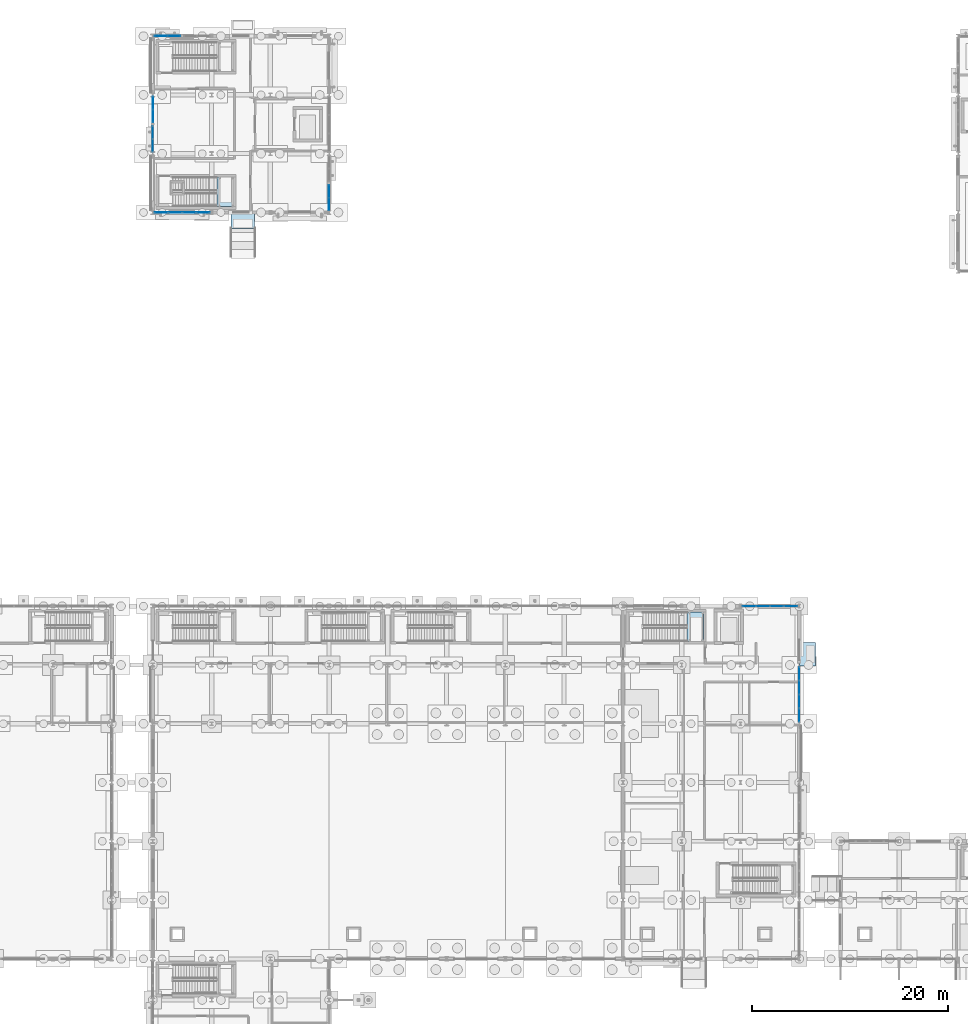
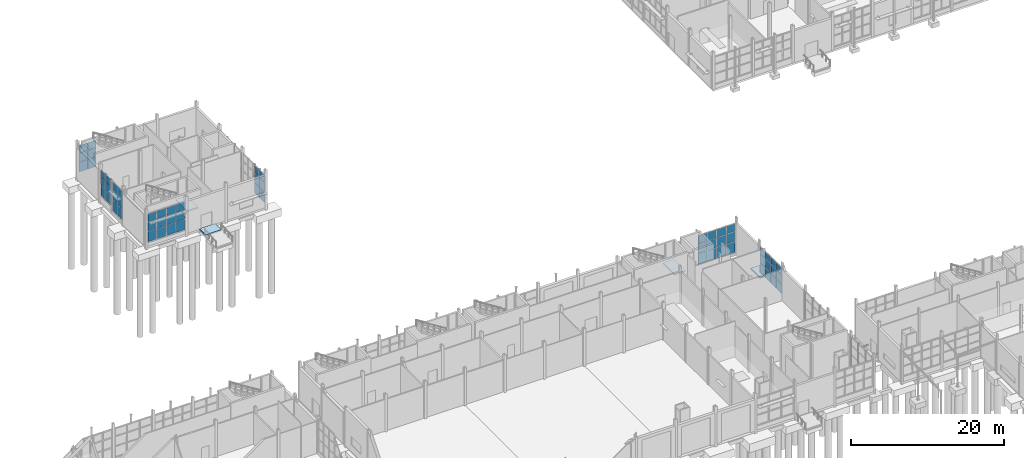
# One storey, part 71 of 120: 60 plates, 4 slabs, 9 elements without a shape of their own.
"""IFC4 building model written with IfcOpenShell, lengths in metres."""

from ifc_helpers import new_model, si_unit, direction, frame, origin, origin_2d, place, context, subcontext, project, spatial, polyline, rectangle, outline, extrude, material, layer, layer_set, type_object, element, aggregate, save


model = new_model("IFC4")

# Units and contexts
model_context = context("Model", 3, precision=1e-05, world=origin(), true_north=direction((0.0, 1.0)))
body_context = subcontext(model_context, "Body", "Model", "MODEL_VIEW")
ifc_project = project(units=[si_unit("LENGTHUNIT", "METRE"), si_unit("AREAUNIT", "SQUARE_METRE"), si_unit("VOLUMEUNIT", "CUBIC_METRE"), si_unit("PLANEANGLEUNIT", "RADIAN"), si_unit("MASSUNIT", "GRAM", prefix="KILO")], contexts=[model_context])

# Site, building, storey
site_placement = place(None, origin())
site = spatial("IfcSite", under=ifc_project, at=site_placement, CompositionType="ELEMENT")
building_placement = place(site_placement, origin())
building = spatial("IfcBuilding", under=site, at=building_placement, Name="Siltcreek Boulevard Central Fire Station", CompositionType="ELEMENT")
storey_placement = place(building_placement, origin())
storey = spatial("IfcBuildingStorey", under=building, at=storey_placement, Name="L01", CompositionType="ELEMENT", Elevation=0.0)

# Curtain wall, plates
ifc_material_1 = material(Name="Anodized aluminum and low-E insulated glazing", Category="aluminium")
curtain_wall_type_1 = type_object("IfcCurtainWallType", Name="CW_SYS_19", PredefinedType="USERDEFINED", material=ifc_material_1)
curtain_wall_1_placement = place(storey_placement, origin())
curtain_wall_1 = element("IfcCurtainWall", 1, at=curtain_wall_1_placement, inside=storey, type_object=curtain_wall_type_1, Name="L01 V2 unitised curtain wall CW-018", ObjectType="CURTAIN WALL", PredefinedType="USERDEFINED")
ifc_material_2 = material(Name="Low-E double insulated glass unit", Category="glass")
ifc_layer_1 = layer(ifc_material_2, 0.028076171875, Name="Low-E double insulated glass unit")
ifc_layer_set_1 = layer_set([ifc_layer_1], Name="Low-E double insulated glass unit")
plate_type_1 = type_object("IfcPlateType", Name="CWP_GLZ_1", PredefinedType="CURTAIN_PANEL", material=ifc_layer_set_1)
plate_1_placement = place(storey_placement, frame((107.125, 54.0, 0.38525390625), z_axis=(0.0, 0.0, 1.0), x_axis=(-1.0, 0.0, 0.0)))
plate_1 = element("IfcPlate", 2, at=plate_1_placement, type_object=plate_type_1, Name="CW-018 panel 1.1", PredefinedType="CURTAIN_PANEL", context=body_context, shape_type="SweptSolid", body=[
    extrude(rectangle(XDim=1.330078125, YDim=0.028076171875, at=origin_2d()), origin(), (0.0, 0.0, 1.0), 1.694091796875),
])
plate_2_placement = place(storey_placement, frame((107.125, 54.0, 2.144287109375), z_axis=(0.0, 0.0, 1.0), x_axis=(-1.0, 0.0, 0.0)))
plate_2 = element("IfcPlate", 3, at=plate_2_placement, type_object=plate_type_1, Name="CW-018 panel 1.2", PredefinedType="CURTAIN_PANEL", context=body_context, shape_type="SweptSolid", body=[
    extrude(rectangle(XDim=1.330078125, YDim=0.028076171875, at=origin_2d()), origin(), (0.0, 0.0, 1.0), 1.5380859375),
])
plate_3_placement = place(storey_placement, frame((107.125, 54.0, 3.747314453125), z_axis=(0.0, 0.0, 1.0), x_axis=(-1.0, 0.0, 0.0)))
plate_3 = element("IfcPlate", 4, at=plate_3_placement, type_object=plate_type_1, Name="CW-018 panel 1.3", PredefinedType="CURTAIN_PANEL", context=body_context, shape_type="SweptSolid", body=[
    extrude(rectangle(XDim=1.330078125, YDim=0.028076171875, at=origin_2d()), origin(), (0.0, 0.0, 1.0), 1.22265625),
])
plate_4_placement = place(storey_placement, frame((105.7138671875, 54.0, 0.38525390625), z_axis=(0.0, 0.0, 1.0), x_axis=(-1.0, 0.0, 0.0)))
plate_4 = element("IfcPlate", 5, at=plate_4_placement, type_object=plate_type_1, Name="CW-018 panel 2.1", PredefinedType="CURTAIN_PANEL", context=body_context, shape_type="SweptSolid", body=[
    extrude(rectangle(XDim=1.362548828125, YDim=0.028076171875, at=origin_2d()), origin(), (0.0, 0.0, 1.0), 1.694091796875),
])
plate_5_placement = place(storey_placement, frame((105.7138671875, 54.0, 2.144287109375), z_axis=(0.0, 0.0, 1.0), x_axis=(-1.0, 0.0, 0.0)))
plate_5 = element("IfcPlate", 6, at=plate_5_placement, type_object=plate_type_1, Name="CW-018 panel 2.2", PredefinedType="CURTAIN_PANEL", context=body_context, shape_type="SweptSolid", body=[
    extrude(rectangle(XDim=1.362548828125, YDim=0.028076171875, at=origin_2d()), origin(), (0.0, 0.0, 1.0), 1.5380859375),
])
plate_6_placement = place(storey_placement, frame((105.7138671875, 54.0, 3.747314453125), z_axis=(0.0, 0.0, 1.0), x_axis=(-1.0, 0.0, 0.0)))
plate_6 = element("IfcPlate", 7, at=plate_6_placement, type_object=plate_type_1, Name="CW-018 panel 2.3", PredefinedType="CURTAIN_PANEL", context=body_context, shape_type="SweptSolid", body=[
    extrude(rectangle(XDim=1.362548828125, YDim=0.028076171875, at=origin_2d()), origin(), (0.0, 0.0, 1.0), 1.22265625),
])
plate_7_placement = place(storey_placement, frame((104.2861328125, 54.0, 0.38525390625), z_axis=(0.0, 0.0, 1.0), x_axis=(-1.0, 0.0, 0.0)))
plate_7 = element("IfcPlate", 8, at=plate_7_placement, type_object=plate_type_1, Name="CW-018 panel 3.1", PredefinedType="CURTAIN_PANEL", context=body_context, shape_type="SweptSolid", body=[
    extrude(rectangle(XDim=1.362548828125, YDim=0.028076171875, at=origin_2d()), origin(), (0.0, 0.0, 1.0), 1.694091796875),
])
plate_8_placement = place(storey_placement, frame((104.2861328125, 54.0, 2.144287109375), z_axis=(0.0, 0.0, 1.0), x_axis=(-1.0, 0.0, 0.0)))
plate_8 = element("IfcPlate", 9, at=plate_8_placement, type_object=plate_type_1, Name="CW-018 panel 3.2", PredefinedType="CURTAIN_PANEL", context=body_context, shape_type="SweptSolid", body=[
    extrude(rectangle(XDim=1.362548828125, YDim=0.028076171875, at=origin_2d()), origin(), (0.0, 0.0, 1.0), 1.5380859375),
])
plate_9_placement = place(storey_placement, frame((104.2861328125, 54.0, 3.747314453125), z_axis=(0.0, 0.0, 1.0), x_axis=(-1.0, 0.0, 0.0)))
plate_9 = element("IfcPlate", 10, at=plate_9_placement, type_object=plate_type_1, Name="CW-018 panel 3.3", PredefinedType="CURTAIN_PANEL", context=body_context, shape_type="SweptSolid", body=[
    extrude(rectangle(XDim=1.362548828125, YDim=0.028076171875, at=origin_2d()), origin(), (0.0, 0.0, 1.0), 1.22265625),
])
plate_10_placement = place(storey_placement, frame((102.875, 54.0, 0.38525390625), z_axis=(0.0, 0.0, 1.0), x_axis=(-1.0, 0.0, 0.0)))
plate_10 = element("IfcPlate", 11, at=plate_10_placement, type_object=plate_type_1, Name="CW-018 panel 4.1", PredefinedType="CURTAIN_PANEL", context=body_context, shape_type="SweptSolid", body=[
    extrude(rectangle(XDim=1.330078125, YDim=0.028076171875, at=origin_2d()), origin(), (0.0, 0.0, 1.0), 1.694091796875),
])
plate_11_placement = place(storey_placement, frame((102.875, 54.0, 2.144287109375), z_axis=(0.0, 0.0, 1.0), x_axis=(-1.0, 0.0, 0.0)))
plate_11 = element("IfcPlate", 12, at=plate_11_placement, type_object=plate_type_1, Name="CW-018 panel 4.2", PredefinedType="CURTAIN_PANEL", context=body_context, shape_type="SweptSolid", body=[
    extrude(rectangle(XDim=1.330078125, YDim=0.028076171875, at=origin_2d()), origin(), (0.0, 0.0, 1.0), 1.5380859375),
])
plate_12_placement = place(storey_placement, frame((102.875, 54.0, 3.747314453125), z_axis=(0.0, 0.0, 1.0), x_axis=(-1.0, 0.0, 0.0)))
plate_12 = element("IfcPlate", 13, at=plate_12_placement, type_object=plate_type_1, Name="CW-018 panel 4.3", PredefinedType="CURTAIN_PANEL", context=body_context, shape_type="SweptSolid", body=[
    extrude(rectangle(XDim=1.330078125, YDim=0.028076171875, at=origin_2d()), origin(), (0.0, 0.0, 1.0), 1.22265625),
])
aggregate(curtain_wall_1, [plate_1, plate_2, plate_3, plate_4, plate_5, plate_6, plate_7, plate_8, plate_9, plate_10, plate_11, plate_12])

curtain_wall_type_2 = type_object("IfcCurtainWallType", Name="CW_SYS_01", PredefinedType="USERDEFINED", material=ifc_material_1)
curtain_wall_2_placement = place(storey_placement, origin())
curtain_wall_2 = element("IfcCurtainWall", 14, at=curtain_wall_2_placement, inside=storey, type_object=curtain_wall_type_2, Name="L01 V3 unitised curtain wall CW-030", ObjectType="CURTAIN WALL", PredefinedType="USERDEFINED")
plate_13_placement = place(storey_placement, frame((42.0, 102.364990234375, 0.38525390625), z_axis=(0.0, 0.0, 1.0), x_axis=(0.0, -1.0, 0.0)))
plate_13 = element("IfcPlate", 15, at=plate_13_placement, type_object=plate_type_1, Name="CW-030 panel 1.1", PredefinedType="CURTAIN_PANEL", context=body_context, shape_type="SweptSolid", body=[
    extrude(rectangle(XDim=1.260009765625, YDim=0.028076171875, at=origin_2d()), origin(), (0.0, 0.0, 1.0), 1.697509765625),
])
plate_14_placement = place(storey_placement, frame((42.0, 102.364990234375, 2.1474609375), z_axis=(0.0, 0.0, 1.0), x_axis=(0.0, -1.0, 0.0)))
plate_14 = element("IfcPlate", 16, at=plate_14_placement, type_object=plate_type_1, Name="CW-030 panel 1.2", PredefinedType="CURTAIN_PANEL", context=body_context, shape_type="SweptSolid", body=[
    extrude(rectangle(XDim=1.260009765625, YDim=0.028076171875, at=origin_2d()), origin(), (0.0, 0.0, 1.0), 1.541259765625),
])
plate_15_placement = place(storey_placement, frame((42.0, 102.364990234375, 3.75390625), z_axis=(0.0, 0.0, 1.0), x_axis=(0.0, -1.0, 0.0)))
plate_15 = element("IfcPlate", 17, at=plate_15_placement, type_object=plate_type_1, Name="CW-030 panel 1.3", PredefinedType="CURTAIN_PANEL", context=body_context, shape_type="SweptSolid", body=[
    extrude(rectangle(XDim=1.260009765625, YDim=0.028076171875, at=origin_2d()), origin(), (0.0, 0.0, 1.0), 1.22509765625),
])
plate_16_placement = place(storey_placement, frame((42.0, 101.0400390625, 0.38525390625), z_axis=(0.0, 0.0, 1.0), x_axis=(0.0, -1.0, 0.0)))
plate_16 = element("IfcPlate", 18, at=plate_16_placement, type_object=plate_type_1, Name="CW-030 panel 2.1", PredefinedType="CURTAIN_PANEL", context=body_context, shape_type="SweptSolid", body=[
    extrude(rectangle(XDim=1.260009765625, YDim=0.028076171875, at=origin_2d()), origin(), (0.0, 0.0, 1.0), 1.697509765625),
])
plate_17_placement = place(storey_placement, frame((42.0, 101.0400390625, 2.1474609375), z_axis=(0.0, 0.0, 1.0), x_axis=(0.0, -1.0, 0.0)))
plate_17 = element("IfcPlate", 19, at=plate_17_placement, type_object=plate_type_1, Name="CW-030 panel 2.2", PredefinedType="CURTAIN_PANEL", context=body_context, shape_type="SweptSolid", body=[
    extrude(rectangle(XDim=1.260009765625, YDim=0.028076171875, at=origin_2d()), origin(), (0.0, 0.0, 1.0), 1.541259765625),
])
plate_18_placement = place(storey_placement, frame((42.0, 101.0400390625, 3.75390625), z_axis=(0.0, 0.0, 1.0), x_axis=(0.0, -1.0, 0.0)))
plate_18 = element("IfcPlate", 20, at=plate_18_placement, type_object=plate_type_1, Name="CW-030 panel 2.3", PredefinedType="CURTAIN_PANEL", context=body_context, shape_type="SweptSolid", body=[
    extrude(rectangle(XDim=1.260009765625, YDim=0.028076171875, at=origin_2d()), origin(), (0.0, 0.0, 1.0), 1.22509765625),
])
aggregate(curtain_wall_2, [plate_13, plate_14, plate_15, plate_16, plate_17, plate_18])

curtain_wall_type_3 = type_object("IfcCurtainWallType", Name="CW_SYS_23", PredefinedType="USERDEFINED", material=ifc_material_1)
curtain_wall_3_placement = place(storey_placement, origin())
curtain_wall_3 = element("IfcCurtainWall", 21, at=curtain_wall_3_placement, inside=storey, type_object=curtain_wall_type_3, Name="L01 V2 unitised curtain wall CW-022", ObjectType="CURTAIN WALL", PredefinedType="USERDEFINED")
ifc_layer_2 = layer(ifc_material_2, 0.0380859375, Name="Low-E double insulated glass unit")
ifc_layer_set_2 = layer_set([ifc_layer_2], Name="Low-E double insulated glass unit")
plate_type_2 = type_object("IfcPlateType", Name="CWP_GLZ_2", PredefinedType="CURTAIN_PANEL", material=ifc_layer_set_2)
plate_19_placement = place(storey_placement, frame((108.0, 42.875, 0.864990234375), z_axis=(0.0, 0.0, 1.0), x_axis=(0.0, 1.0, 0.0)))
plate_19 = element("IfcPlate", 22, at=plate_19_placement, type_object=plate_type_2, Name="CW-022 panel 1.1", PredefinedType="CURTAIN_PANEL", context=body_context, shape_type="SweptSolid", body=[
    extrude(rectangle(XDim=1.330078125, YDim=0.0380859375, at=origin_2d()), origin(), (0.0, 0.0, 1.0), 1.51513671875),
])
plate_20_placement = place(storey_placement, frame((108.0, 42.875, 2.4453125), z_axis=(0.0, 0.0, 1.0), x_axis=(0.0, 1.0, 0.0)))
plate_20 = element("IfcPlate", 23, at=plate_20_placement, type_object=plate_type_2, Name="CW-022 panel 1.2", PredefinedType="CURTAIN_PANEL", context=body_context, shape_type="SweptSolid", body=[
    extrude(rectangle(XDim=1.330078125, YDim=0.0380859375, at=origin_2d()), origin(), (0.0, 0.0, 1.0), 1.3779296875),
])
plate_21_placement = place(storey_placement, frame((108.0, 42.875, 3.88818359375), z_axis=(0.0, 0.0, 1.0), x_axis=(0.0, 1.0, 0.0)))
plate_21 = element("IfcPlate", 24, at=plate_21_placement, type_object=plate_type_2, Name="CW-022 panel 1.3", PredefinedType="CURTAIN_PANEL", context=body_context, shape_type="SweptSolid", body=[
    extrude(rectangle(XDim=1.330078125, YDim=0.0380859375, at=origin_2d()), origin(), (0.0, 0.0, 1.0), 1.0908203125),
])
plate_22_placement = place(storey_placement, frame((108.0, 44.2861328125, 0.864990234375), z_axis=(0.0, 0.0, 1.0), x_axis=(0.0, 1.0, 0.0)))
plate_22 = element("IfcPlate", 25, at=plate_22_placement, type_object=plate_type_2, Name="CW-022 panel 2.1", PredefinedType="CURTAIN_PANEL", context=body_context, shape_type="SweptSolid", body=[
    extrude(rectangle(XDim=1.362548828125, YDim=0.0380859375, at=origin_2d()), origin(), (0.0, 0.0, 1.0), 1.51513671875),
])
plate_23_placement = place(storey_placement, frame((108.0, 44.2861328125, 2.4453125), z_axis=(0.0, 0.0, 1.0), x_axis=(0.0, 1.0, 0.0)))
plate_23 = element("IfcPlate", 26, at=plate_23_placement, type_object=plate_type_2, Name="CW-022 panel 2.2", PredefinedType="CURTAIN_PANEL", context=body_context, shape_type="SweptSolid", body=[
    extrude(rectangle(XDim=1.362548828125, YDim=0.0380859375, at=origin_2d()), origin(), (0.0, 0.0, 1.0), 1.3779296875),
])
plate_24_placement = place(storey_placement, frame((108.0, 44.2861328125, 3.88818359375), z_axis=(0.0, 0.0, 1.0), x_axis=(0.0, 1.0, 0.0)))
plate_24 = element("IfcPlate", 27, at=plate_24_placement, type_object=plate_type_2, Name="CW-022 panel 2.3", PredefinedType="CURTAIN_PANEL", context=body_context, shape_type="SweptSolid", body=[
    extrude(rectangle(XDim=1.362548828125, YDim=0.0380859375, at=origin_2d()), origin(), (0.0, 0.0, 1.0), 1.0908203125),
])
plate_25_placement = place(storey_placement, frame((108.0, 45.7138671875, 0.864990234375), z_axis=(0.0, 0.0, 1.0), x_axis=(0.0, 1.0, 0.0)))
plate_25 = element("IfcPlate", 28, at=plate_25_placement, type_object=plate_type_2, Name="CW-022 panel 3.1", PredefinedType="CURTAIN_PANEL", context=body_context, shape_type="SweptSolid", body=[
    extrude(rectangle(XDim=1.362548828125, YDim=0.0380859375, at=origin_2d()), origin(), (0.0, 0.0, 1.0), 1.51513671875),
])
plate_26_placement = place(storey_placement, frame((108.0, 45.7138671875, 2.4453125), z_axis=(0.0, 0.0, 1.0), x_axis=(0.0, 1.0, 0.0)))
plate_26 = element("IfcPlate", 29, at=plate_26_placement, type_object=plate_type_2, Name="CW-022 panel 3.2", PredefinedType="CURTAIN_PANEL", context=body_context, shape_type="SweptSolid", body=[
    extrude(rectangle(XDim=1.362548828125, YDim=0.0380859375, at=origin_2d()), origin(), (0.0, 0.0, 1.0), 1.3779296875),
])
plate_27_placement = place(storey_placement, frame((108.0, 45.7138671875, 3.88818359375), z_axis=(0.0, 0.0, 1.0), x_axis=(0.0, 1.0, 0.0)))
plate_27 = element("IfcPlate", 30, at=plate_27_placement, type_object=plate_type_2, Name="CW-022 panel 3.3", PredefinedType="CURTAIN_PANEL", context=body_context, shape_type="SweptSolid", body=[
    extrude(rectangle(XDim=1.362548828125, YDim=0.0380859375, at=origin_2d()), origin(), (0.0, 0.0, 1.0), 1.0908203125),
])
plate_28_placement = place(storey_placement, frame((108.0, 47.125, 0.864990234375), z_axis=(0.0, 0.0, 1.0), x_axis=(0.0, 1.0, 0.0)))
plate_28 = element("IfcPlate", 31, at=plate_28_placement, type_object=plate_type_2, Name="CW-022 panel 4.1", PredefinedType="CURTAIN_PANEL", context=body_context, shape_type="SweptSolid", body=[
    extrude(rectangle(XDim=1.330078125, YDim=0.0380859375, at=origin_2d()), origin(), (0.0, 0.0, 1.0), 1.51513671875),
])
plate_29_placement = place(storey_placement, frame((108.0, 47.125, 2.4453125), z_axis=(0.0, 0.0, 1.0), x_axis=(0.0, 1.0, 0.0)))
plate_29 = element("IfcPlate", 32, at=plate_29_placement, type_object=plate_type_2, Name="CW-022 panel 4.2", PredefinedType="CURTAIN_PANEL", context=body_context, shape_type="SweptSolid", body=[
    extrude(rectangle(XDim=1.330078125, YDim=0.0380859375, at=origin_2d()), origin(), (0.0, 0.0, 1.0), 1.3779296875),
])
plate_30_placement = place(storey_placement, frame((108.0, 47.125, 3.88818359375), z_axis=(0.0, 0.0, 1.0), x_axis=(0.0, 1.0, 0.0)))
plate_30 = element("IfcPlate", 33, at=plate_30_placement, type_object=plate_type_2, Name="CW-022 panel 4.3", PredefinedType="CURTAIN_PANEL", context=body_context, shape_type="SweptSolid", body=[
    extrude(rectangle(XDim=1.330078125, YDim=0.0380859375, at=origin_2d()), origin(), (0.0, 0.0, 1.0), 1.0908203125),
])
aggregate(curtain_wall_3, [plate_19, plate_20, plate_21, plate_22, plate_23, plate_24, plate_25, plate_26, plate_27, plate_28, plate_29, plate_30])

curtain_wall_type_4 = type_object("IfcCurtainWallType", Name="CW_SYS_29", PredefinedType="USERDEFINED", material=ifc_material_1)
curtain_wall_4_placement = place(storey_placement, origin())
curtain_wall_4 = element("IfcCurtainWall", 34, at=curtain_wall_4_placement, inside=storey, type_object=curtain_wall_type_4, Name="L01 V3 unitised curtain wall CW-028", ObjectType="CURTAIN WALL", PredefinedType="USERDEFINED")
plate_31_placement = place(storey_placement, frame((44.1650390625, 112.199951171875, 0.864990234375), z_axis=(0.0, 0.0, 1.0), x_axis=(-1.0, 0.0, 0.0)))
plate_31 = element("IfcPlate", 35, at=plate_31_placement, type_object=plate_type_2, Name="CW-028 panel 1.1", PredefinedType="CURTAIN_PANEL", context=body_context, shape_type="SweptSolid", body=[
    extrude(rectangle(XDim=1.260009765625, YDim=0.0380859375, at=origin_2d()), origin(), (0.0, 0.0, 1.0), 1.54150390625),
])
plate_32_placement = place(storey_placement, frame((44.1650390625, 112.199951171875, 2.47119140625), z_axis=(0.0, 0.0, 1.0), x_axis=(-1.0, 0.0, 0.0)))
plate_32 = element("IfcPlate", 36, at=plate_32_placement, type_object=plate_type_2, Name="CW-028 panel 1.2", PredefinedType="CURTAIN_PANEL", context=body_context, shape_type="SweptSolid", body=[
    extrude(rectangle(XDim=1.260009765625, YDim=0.0380859375, at=origin_2d()), origin(), (0.0, 0.0, 1.0), 1.401611328125),
])
plate_33_placement = place(storey_placement, frame((44.1650390625, 112.199951171875, 3.93798828125), z_axis=(0.0, 0.0, 1.0), x_axis=(-1.0, 0.0, 0.0)))
plate_33 = element("IfcPlate", 37, at=plate_33_placement, type_object=plate_type_2, Name="CW-028 panel 1.3", PredefinedType="CURTAIN_PANEL", context=body_context, shape_type="SweptSolid", body=[
    extrude(rectangle(XDim=1.260009765625, YDim=0.0380859375, at=origin_2d()), origin(), (0.0, 0.0, 1.0), 1.110107421875),
])
plate_34_placement = place(storey_placement, frame((42.840087890625, 112.199951171875, 0.864990234375), z_axis=(0.0, 0.0, 1.0), x_axis=(-1.0, 0.0, 0.0)))
plate_34 = element("IfcPlate", 38, at=plate_34_placement, type_object=plate_type_2, Name="CW-028 panel 2.1", PredefinedType="CURTAIN_PANEL", context=body_context, shape_type="SweptSolid", body=[
    extrude(rectangle(XDim=1.260009765625, YDim=0.0380859375, at=origin_2d()), origin(), (0.0, 0.0, 1.0), 1.54150390625),
])
plate_35_placement = place(storey_placement, frame((42.840087890625, 112.199951171875, 2.47119140625), z_axis=(0.0, 0.0, 1.0), x_axis=(-1.0, 0.0, 0.0)))
plate_35 = element("IfcPlate", 39, at=plate_35_placement, type_object=plate_type_2, Name="CW-028 panel 2.2", PredefinedType="CURTAIN_PANEL", context=body_context, shape_type="SweptSolid", body=[
    extrude(rectangle(XDim=1.260009765625, YDim=0.0380859375, at=origin_2d()), origin(), (0.0, 0.0, 1.0), 1.401611328125),
])
plate_36_placement = place(storey_placement, frame((42.840087890625, 112.199951171875, 3.93798828125), z_axis=(0.0, 0.0, 1.0), x_axis=(-1.0, 0.0, 0.0)))
plate_36 = element("IfcPlate", 40, at=plate_36_placement, type_object=plate_type_2, Name="CW-028 panel 2.3", PredefinedType="CURTAIN_PANEL", context=body_context, shape_type="SweptSolid", body=[
    extrude(rectangle(XDim=1.260009765625, YDim=0.0380859375, at=origin_2d()), origin(), (0.0, 0.0, 1.0), 1.110107421875),
])
aggregate(curtain_wall_4, [plate_31, plate_32, plate_33, plate_34, plate_35, plate_36])

curtain_wall_type_5 = type_object("IfcCurtainWallType", Name="CW_SYS_02", PredefinedType="USERDEFINED", material=ifc_material_1)
curtain_wall_5_placement = place(storey_placement, origin())
curtain_wall_5 = element("IfcCurtainWall", 41, at=curtain_wall_5_placement, inside=storey, type_object=curtain_wall_type_5, Name="L01 V3 unitised curtain wall CW-031", ObjectType="CURTAIN WALL", PredefinedType="USERDEFINED")
plate_37_placement = place(storey_placement, frame((60.0, 95.038818359375, 0.5), z_axis=(0.0, 0.0, 1.0), x_axis=(0.0, 1.0, 0.0)))
plate_37 = element("IfcPlate", 42, at=plate_37_placement, type_object=plate_type_2, Name="CW-031 panel 1.1", PredefinedType="CURTAIN_PANEL", context=body_context, shape_type="SweptSolid", body=[
    extrude(rectangle(XDim=1.267578125, YDim=0.0380859375, at=origin_2d()), origin(), (0.0, 0.0, 1.0), 1.659423828125),
])
plate_38_placement = place(storey_placement, frame((60.0, 95.038818359375, 2.219482421875), z_axis=(0.0, 0.0, 1.0), x_axis=(0.0, 1.0, 0.0)))
plate_38 = element("IfcPlate", 43, at=plate_38_placement, type_object=plate_type_2, Name="CW-031 panel 1.2", PredefinedType="CURTAIN_PANEL", context=body_context, shape_type="SweptSolid", body=[
    extrude(rectangle(XDim=1.267578125, YDim=0.0380859375, at=origin_2d()), origin(), (0.0, 0.0, 1.0), 1.50537109375),
])
plate_39_placement = place(storey_placement, frame((60.0, 95.038818359375, 3.784912109375), z_axis=(0.0, 0.0, 1.0), x_axis=(0.0, 1.0, 0.0)))
plate_39 = element("IfcPlate", 44, at=plate_39_placement, type_object=plate_type_2, Name="CW-031 panel 1.3", PredefinedType="CURTAIN_PANEL", context=body_context, shape_type="SweptSolid", body=[
    extrude(rectangle(XDim=1.267578125, YDim=0.0380859375, at=origin_2d()), origin(), (0.0, 0.0, 1.0), 1.19921875),
])
plate_40_placement = place(storey_placement, frame((60.0, 96.3662109375, 0.5), z_axis=(0.0, 0.0, 1.0), x_axis=(0.0, 1.0, 0.0)))
plate_40 = element("IfcPlate", 45, at=plate_40_placement, type_object=plate_type_2, Name="CW-031 panel 2.1", PredefinedType="CURTAIN_PANEL", context=body_context, shape_type="SweptSolid", body=[
    extrude(rectangle(XDim=1.267578125, YDim=0.0380859375, at=origin_2d()), origin(), (0.0, 0.0, 1.0), 1.659423828125),
])
plate_41_placement = place(storey_placement, frame((60.0, 96.3662109375, 2.219482421875), z_axis=(0.0, 0.0, 1.0), x_axis=(0.0, 1.0, 0.0)))
plate_41 = element("IfcPlate", 46, at=plate_41_placement, type_object=plate_type_2, Name="CW-031 panel 2.2", PredefinedType="CURTAIN_PANEL", context=body_context, shape_type="SweptSolid", body=[
    extrude(rectangle(XDim=1.267578125, YDim=0.0380859375, at=origin_2d()), origin(), (0.0, 0.0, 1.0), 1.50537109375),
])
plate_42_placement = place(storey_placement, frame((60.0, 96.3662109375, 3.784912109375), z_axis=(0.0, 0.0, 1.0), x_axis=(0.0, 1.0, 0.0)))
plate_42 = element("IfcPlate", 47, at=plate_42_placement, type_object=plate_type_2, Name="CW-031 panel 2.3", PredefinedType="CURTAIN_PANEL", context=body_context, shape_type="SweptSolid", body=[
    extrude(rectangle(XDim=1.267578125, YDim=0.0380859375, at=origin_2d()), origin(), (0.0, 0.0, 1.0), 1.19921875),
])
aggregate(curtain_wall_5, [plate_37, plate_38, plate_39, plate_40, plate_41, plate_42])

curtain_wall_type_6 = type_object("IfcCurtainWallType", Name="CW_SYS_27", PredefinedType="USERDEFINED", material=ifc_material_1)
curtain_wall_6_placement = place(storey_placement, origin())
curtain_wall_6 = element("IfcCurtainWall", 48, at=curtain_wall_6_placement, inside=storey, type_object=curtain_wall_type_6, Name="L01 V3 unitised curtain wall CW-026", ObjectType="CURTAIN WALL", PredefinedType="USERDEFINED")
ifc_layer_3 = layer(ifc_material_2, 0.048095703125, Name="Low-E double insulated glass unit")
ifc_layer_set_3 = layer_set([ifc_layer_3], Name="Low-E double insulated glass unit")
plate_type_3 = type_object("IfcPlateType", Name="CWP_GLZ_3", PredefinedType="CURTAIN_PANEL", material=ifc_layer_set_3)
plate_43_placement = place(storey_placement, frame((42.875, 94.199951171875, 0.625), z_axis=(0.0, 0.0, 1.0), x_axis=(1.0, 0.0, 0.0)))
plate_43 = element("IfcPlate", 49, at=plate_43_placement, type_object=plate_type_3, Name="CW-026 panel 1.1", PredefinedType="CURTAIN_PANEL", context=body_context, shape_type="SweptSolid", body=[
    extrude(rectangle(XDim=1.330078125, YDim=0.048095703125, at=origin_2d()), origin(), (0.0, 0.0, 1.0), 1.632568359375),
])
plate_44_placement = place(storey_placement, frame((42.875, 94.199951171875, 2.32275390625), z_axis=(0.0, 0.0, 1.0), x_axis=(1.0, 0.0, 0.0)))
plate_44 = element("IfcPlate", 50, at=plate_44_placement, type_object=plate_type_3, Name="CW-026 panel 1.2", PredefinedType="CURTAIN_PANEL", context=body_context, shape_type="SweptSolid", body=[
    extrude(rectangle(XDim=1.330078125, YDim=0.048095703125, at=origin_2d()), origin(), (0.0, 0.0, 1.0), 1.483154296875),
])
plate_45_placement = place(storey_placement, frame((42.875, 94.199951171875, 3.87060546875), z_axis=(0.0, 0.0, 1.0), x_axis=(1.0, 0.0, 0.0)))
plate_45 = element("IfcPlate", 51, at=plate_45_placement, type_object=plate_type_3, Name="CW-026 panel 1.3", PredefinedType="CURTAIN_PANEL", context=body_context, shape_type="SweptSolid", body=[
    extrude(rectangle(XDim=1.330078125, YDim=0.048095703125, at=origin_2d()), origin(), (0.0, 0.0, 1.0), 1.17724609375),
])
plate_46_placement = place(storey_placement, frame((44.2861328125, 94.199951171875, 0.625), z_axis=(0.0, 0.0, 1.0), x_axis=(1.0, 0.0, 0.0)))
plate_46 = element("IfcPlate", 52, at=plate_46_placement, type_object=plate_type_3, Name="CW-026 panel 2.1", PredefinedType="CURTAIN_PANEL", context=body_context, shape_type="SweptSolid", body=[
    extrude(rectangle(XDim=1.362548828125, YDim=0.048095703125, at=origin_2d()), origin(), (0.0, 0.0, 1.0), 1.632568359375),
])
plate_47_placement = place(storey_placement, frame((44.2861328125, 94.199951171875, 2.32275390625), z_axis=(0.0, 0.0, 1.0), x_axis=(1.0, 0.0, 0.0)))
plate_47 = element("IfcPlate", 53, at=plate_47_placement, type_object=plate_type_3, Name="CW-026 panel 2.2", PredefinedType="CURTAIN_PANEL", context=body_context, shape_type="SweptSolid", body=[
    extrude(rectangle(XDim=1.362548828125, YDim=0.048095703125, at=origin_2d()), origin(), (0.0, 0.0, 1.0), 1.483154296875),
])
plate_48_placement = place(storey_placement, frame((44.2861328125, 94.199951171875, 3.87060546875), z_axis=(0.0, 0.0, 1.0), x_axis=(1.0, 0.0, 0.0)))
plate_48 = element("IfcPlate", 54, at=plate_48_placement, type_object=plate_type_3, Name="CW-026 panel 2.3", PredefinedType="CURTAIN_PANEL", context=body_context, shape_type="SweptSolid", body=[
    extrude(rectangle(XDim=1.362548828125, YDim=0.048095703125, at=origin_2d()), origin(), (0.0, 0.0, 1.0), 1.17724609375),
])
plate_49_placement = place(storey_placement, frame((45.7138671875, 94.199951171875, 0.625), z_axis=(0.0, 0.0, 1.0), x_axis=(1.0, 0.0, 0.0)))
plate_49 = element("IfcPlate", 55, at=plate_49_placement, type_object=plate_type_3, Name="CW-026 panel 3.1", PredefinedType="CURTAIN_PANEL", context=body_context, shape_type="SweptSolid", body=[
    extrude(rectangle(XDim=1.362548828125, YDim=0.048095703125, at=origin_2d()), origin(), (0.0, 0.0, 1.0), 1.632568359375),
])
plate_50_placement = place(storey_placement, frame((45.7138671875, 94.199951171875, 2.32275390625), z_axis=(0.0, 0.0, 1.0), x_axis=(1.0, 0.0, 0.0)))
plate_50 = element("IfcPlate", 56, at=plate_50_placement, type_object=plate_type_3, Name="CW-026 panel 3.2", PredefinedType="CURTAIN_PANEL", context=body_context, shape_type="SweptSolid", body=[
    extrude(rectangle(XDim=1.362548828125, YDim=0.048095703125, at=origin_2d()), origin(), (0.0, 0.0, 1.0), 1.483154296875),
])
plate_51_placement = place(storey_placement, frame((45.7138671875, 94.199951171875, 3.87060546875), z_axis=(0.0, 0.0, 1.0), x_axis=(1.0, 0.0, 0.0)))
plate_51 = element("IfcPlate", 57, at=plate_51_placement, type_object=plate_type_3, Name="CW-026 panel 3.3", PredefinedType="CURTAIN_PANEL", context=body_context, shape_type="SweptSolid", body=[
    extrude(rectangle(XDim=1.362548828125, YDim=0.048095703125, at=origin_2d()), origin(), (0.0, 0.0, 1.0), 1.17724609375),
])
plate_52_placement = place(storey_placement, frame((47.125, 94.199951171875, 0.625), z_axis=(0.0, 0.0, 1.0), x_axis=(1.0, 0.0, 0.0)))
plate_52 = element("IfcPlate", 58, at=plate_52_placement, type_object=plate_type_3, Name="CW-026 panel 4.1", PredefinedType="CURTAIN_PANEL", context=body_context, shape_type="SweptSolid", body=[
    extrude(rectangle(XDim=1.330078125, YDim=0.048095703125, at=origin_2d()), origin(), (0.0, 0.0, 1.0), 1.632568359375),
])
plate_53_placement = place(storey_placement, frame((47.125, 94.199951171875, 2.32275390625), z_axis=(0.0, 0.0, 1.0), x_axis=(1.0, 0.0, 0.0)))
plate_53 = element("IfcPlate", 59, at=plate_53_placement, type_object=plate_type_3, Name="CW-026 panel 4.2", PredefinedType="CURTAIN_PANEL", context=body_context, shape_type="SweptSolid", body=[
    extrude(rectangle(XDim=1.330078125, YDim=0.048095703125, at=origin_2d()), origin(), (0.0, 0.0, 1.0), 1.483154296875),
])
plate_54_placement = place(storey_placement, frame((47.125, 94.199951171875, 3.87060546875), z_axis=(0.0, 0.0, 1.0), x_axis=(1.0, 0.0, 0.0)))
plate_54 = element("IfcPlate", 60, at=plate_54_placement, type_object=plate_type_3, Name="CW-026 panel 4.3", PredefinedType="CURTAIN_PANEL", context=body_context, shape_type="SweptSolid", body=[
    extrude(rectangle(XDim=1.330078125, YDim=0.048095703125, at=origin_2d()), origin(), (0.0, 0.0, 1.0), 1.17724609375),
])
aggregate(curtain_wall_6, [plate_43, plate_44, plate_45, plate_46, plate_47, plate_48, plate_49, plate_50, plate_51, plate_52, plate_53, plate_54])

curtain_wall_type_7 = type_object("IfcCurtainWallType", Name="CW_SYS_30", PredefinedType="USERDEFINED", material=ifc_material_1)
curtain_wall_7_placement = place(storey_placement, origin())
curtain_wall_7 = element("IfcCurtainWall", 61, at=curtain_wall_7_placement, inside=storey, type_object=curtain_wall_type_7, Name="L01 V3 unitised curtain wall CW-029", ObjectType="CURTAIN WALL", PredefinedType="USERDEFINED")
plate_55_placement = place(storey_placement, frame((42.0, 105.361328125, 0.97998046875), z_axis=(0.0, 0.0, 1.0), x_axis=(0.0, -1.0, 0.0)))
plate_55 = element("IfcPlate", 62, at=plate_55_placement, type_object=plate_type_3, Name="CW-029 panel 1.1", PredefinedType="CURTAIN_PANEL", context=body_context, shape_type="SweptSolid", body=[
    extrude(rectangle(XDim=1.267578125, YDim=0.048095703125, at=origin_2d()), origin(), (0.0, 0.0, 1.0), 1.47705078125),
])
plate_56_placement = place(storey_placement, frame((42.0, 105.361328125, 2.51708984375), z_axis=(0.0, 0.0, 1.0), x_axis=(0.0, -1.0, 0.0)))
plate_56 = element("IfcPlate", 63, at=plate_56_placement, type_object=plate_type_3, Name="CW-029 panel 1.2", PredefinedType="CURTAIN_PANEL", context=body_context, shape_type="SweptSolid", body=[
    extrude(rectangle(XDim=1.267578125, YDim=0.048095703125, at=origin_2d()), origin(), (0.0, 0.0, 1.0), 1.34228515625),
])
plate_57_placement = place(storey_placement, frame((42.0, 105.361328125, 3.91943359375), z_axis=(0.0, 0.0, 1.0), x_axis=(0.0, -1.0, 0.0)))
plate_57 = element("IfcPlate", 64, at=plate_57_placement, type_object=plate_type_3, Name="CW-029 panel 1.3", PredefinedType="CURTAIN_PANEL", context=body_context, shape_type="SweptSolid", body=[
    extrude(rectangle(XDim=1.267578125, YDim=0.048095703125, at=origin_2d()), origin(), (0.0, 0.0, 1.0), 1.064697265625),
])
plate_58_placement = place(storey_placement, frame((42.0, 104.03369140625, 0.97998046875), z_axis=(0.0, 0.0, 1.0), x_axis=(0.0, -1.0, 0.0)))
plate_58 = element("IfcPlate", 65, at=plate_58_placement, type_object=plate_type_3, Name="CW-029 panel 2.1", PredefinedType="CURTAIN_PANEL", context=body_context, shape_type="SweptSolid", body=[
    extrude(rectangle(XDim=1.267578125, YDim=0.048095703125, at=origin_2d()), origin(), (0.0, 0.0, 1.0), 1.47705078125),
])
plate_59_placement = place(storey_placement, frame((42.0, 104.03369140625, 2.51708984375), z_axis=(0.0, 0.0, 1.0), x_axis=(0.0, -1.0, 0.0)))
plate_59 = element("IfcPlate", 66, at=plate_59_placement, type_object=plate_type_3, Name="CW-029 panel 2.2", PredefinedType="CURTAIN_PANEL", context=body_context, shape_type="SweptSolid", body=[
    extrude(rectangle(XDim=1.267578125, YDim=0.048095703125, at=origin_2d()), origin(), (0.0, 0.0, 1.0), 1.34228515625),
])
plate_60_placement = place(storey_placement, frame((42.0, 104.03369140625, 3.91943359375), z_axis=(0.0, 0.0, 1.0), x_axis=(0.0, -1.0, 0.0)))
plate_60 = element("IfcPlate", 67, at=plate_60_placement, type_object=plate_type_3, Name="CW-029 panel 2.3", PredefinedType="CURTAIN_PANEL", context=body_context, shape_type="SweptSolid", body=[
    extrude(rectangle(XDim=1.267578125, YDim=0.048095703125, at=origin_2d()), origin(), (0.0, 0.0, 1.0), 1.064697265625),
])
aggregate(curtain_wall_7, [plate_55, plate_56, plate_57, plate_58, plate_59, plate_60])

# Stair, slab
ifc_material_3 = material(Name="Precast concrete C40/50", Category="concrete")
stair_type = type_object("IfcStairType", Name="ST_DOG_H60", PredefinedType="HALF_TURN_STAIR", material=ifc_material_3)
stair_1_placement = place(storey_placement, origin())
stair_1 = element("IfcStair", 68, at=stair_1_placement, inside=storey, type_object=stair_type, Name="L01 Enclosed exit stairway ST-V2A", PredefinedType="HALF_TURN_STAIR")
ifc_layer_4 = layer(ifc_material_3, 0.199951171875, Name="Precast concrete C40/50")
ifc_layer_set_4 = layer_set([ifc_layer_4], Name="Precast concrete C40/50")
slab_type_1 = type_object("IfcSlabType", Name="SL_LAND200", PredefinedType="LANDING", material=ifc_layer_set_4)
slab_1_placement = place(storey_placement, frame((0.0, 0.0, 2.800048828125)))
slab_1 = element("IfcSlab", 69, at=slab_1_placement, type_object=slab_type_1, Name="ST-V2A landing 1", PredefinedType="LANDING", context=body_context, shape_type="SweptSolid", body=[
    extrude(outline(polyline([(96.530029296875, 50.39990234375), (98.199951171875, 50.39990234375), (98.199951171875, 53.39990234375), (96.530029296875, 53.39990234375), (96.530029296875, 50.39990234375)])), origin(), (0.0, 0.0, 1.0), 0.199951171875),
])
aggregate(stair_1, [slab_1])

stair_2_placement = place(storey_placement, origin())
stair_2 = element("IfcStair", 70, at=stair_2_placement, inside=storey, type_object=stair_type, Name="L01 Enclosed exit stairway ST-V3A", PredefinedType="HALF_TURN_STAIR")
slab_2_placement = place(storey_placement, frame((0.0, 0.0, 2.800048828125)))
slab_2 = element("IfcSlab", 71, at=slab_2_placement, type_object=slab_type_1, Name="ST-V3A landing 1", PredefinedType="LANDING", context=body_context, shape_type="SweptSolid", body=[
    extrude(outline(polyline([(48.530029296875, 94.800048828125), (50.199951171875, 94.800048828125), (50.199951171875, 97.800048828125), (48.530029296875, 97.800048828125), (48.530029296875, 94.800048828125)])), origin(), (0.0, 0.0, 1.0), 0.199951171875),
])
aggregate(stair_2, [slab_2])

# Slabs
ifc_material_4 = material(Name="Concrete C35/45", Category="concrete")
ifc_layer_5 = layer(ifc_material_4, 0.2099609375, Name="Concrete C35/45")
ifc_layer_set_5 = layer_set([ifc_layer_5], Name="Concrete C35/45")
slab_type_2 = type_object("IfcSlabType", Name="SL_TER210", PredefinedType="FLOOR", material=ifc_layer_set_5)
slab_3_placement = place(storey_placement, frame((0.0, 0.0, -0.2099609375)))
element("IfcSlab", 72, at=slab_3_placement, inside=storey, type_object=slab_type_2, Name="V3 south accessible entrance and exit landing slab AP-V3S", PredefinedType="FLOOR", context=body_context, shape_type="SweptSolid", body=[
    extrude(outline(polyline([(50.0, 92.550048828125), (52.39990234375, 92.550048828125), (52.39990234375, 94.199951171875), (50.0, 94.199951171875), (50.0, 92.550048828125)])), origin(), (0.0, 0.0, 1.0), 0.2099609375),
])
slab_4_placement = place(storey_placement, frame((0.0, 0.0, -0.2099609375)))
element("IfcSlab", 73, at=slab_4_placement, inside=storey, type_object=slab_type_2, Name="V2 east stair exit-discharge landing slab AP-V2E", PredefinedType="FLOOR", context=body_context, shape_type="SweptSolid", body=[
    extrude(outline(polyline([(108.0, 47.89990234375), (109.64990234375, 47.89990234375), (109.64990234375, 50.300048828125), (108.0, 50.300048828125), (108.0, 47.89990234375)])), origin(), (0.0, 0.0, 1.0), 0.2099609375),
])

save(model, "model.ifc")
